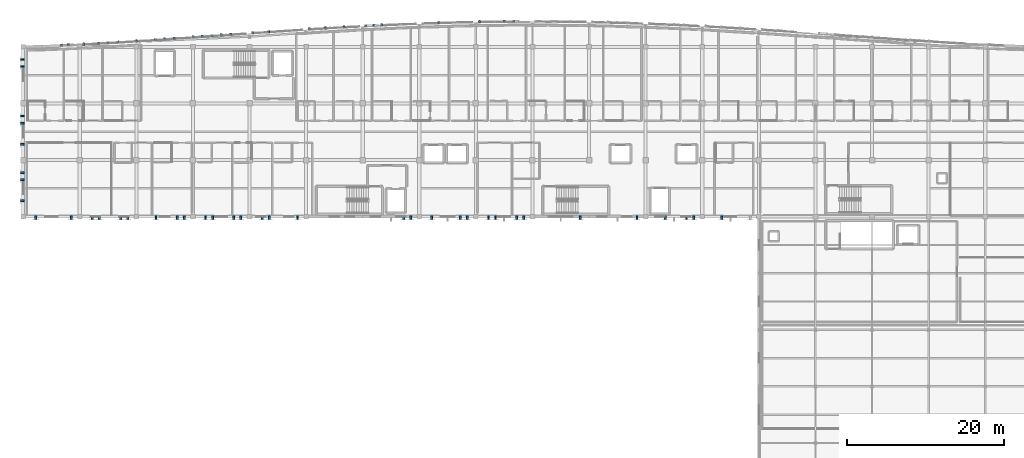
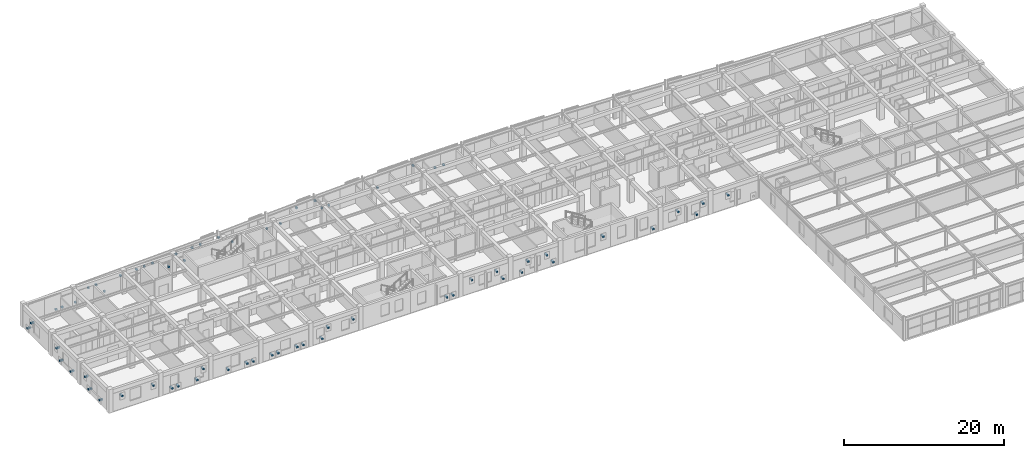
# One storey, part 68 of 73: 66 discrete accessories.
"""IFC4 building model written with IfcOpenShell, lengths in metres."""

from ifc_helpers import new_model, si_unit, direction, frame, origin, origin_2d, place, context, subcontext, project, spatial, rectangle, extrude, material, type_object, element, save


model = new_model("IFC4")

# Units and contexts
model_context = context("Model", 3, precision=1e-05, world=origin(), true_north=direction((0.0, 1.0)))
body_context = subcontext(model_context, "Body", "Model", "MODEL_VIEW")
ifc_project = project(units=[si_unit("LENGTHUNIT", "METRE"), si_unit("AREAUNIT", "SQUARE_METRE"), si_unit("VOLUMEUNIT", "CUBIC_METRE"), si_unit("PLANEANGLEUNIT", "RADIAN"), si_unit("MASSUNIT", "GRAM", prefix="KILO")], contexts=[model_context])

# Site, building, storey
site_placement = place(None, origin())
site = spatial("IfcSite", under=ifc_project, at=site_placement, CompositionType="ELEMENT")
building_placement = place(site_placement, origin())
building = spatial("IfcBuilding", under=site, at=building_placement, Name="Carrowvane Square Congress Hotel", CompositionType="ELEMENT")
storey_placement = place(building_placement, frame((0.0, 0.0, 19.199951171875)))
storey = spatial("IfcBuildingStorey", under=building, at=storey_placement, Name="L04", CompositionType="ELEMENT", Elevation=19.199951171875)

# Discrete accessories
ifc_material = material(Name="Stainless steel 316", Category="steel")
discrete_accessory_type = type_object("IfcDiscreteAccessoryType", Name="ACC-BRK-SS", PredefinedType="BRACKET", material=ifc_material)
for number, where, z_axis, x_axis, name in (
    (1, (33.06005859375, 93.800048828125, 0.56005859375), (0.0, 0.0, 1.0), (0.0, 1.0, 0.0), "V5 pixel screen bracket 289"),
    (2, (33.06005859375, 96.5, 0.56005859375), (0.0, 0.0, 1.0), (0.0, 1.0, 0.0), "V5 pixel screen bracket 290"),
    (3, (33.06005859375, 97.39990234375, 1.9150390625), (0.0, 0.0, 1.0), (0.0, 1.0, 0.0), "V5 pixel screen bracket 291"),
    (4, (33.06005859375, 101.0, 0.56005859375), (0.0, 0.0, 1.0), (0.0, 1.0, 0.0), "V5 pixel screen bracket 292"),
    (5, (33.06005859375, 103.699951171875, 0.56005859375), (0.0, 0.0, 1.0), (0.0, 1.0, 0.0), "V5 pixel screen bracket 293"),
    (6, (33.06005859375, 104.60009765625, 1.9150390625), (0.0, 0.0, 1.0), (0.0, 1.0, 0.0), "V5 pixel screen bracket 294"),
    (7, (33.06005859375, 110.89990234375, 1.9150390625), (0.0, 0.0, 1.0), (0.0, 1.0, 0.0), "V5 pixel screen bracket 295"),
    (8, (33.06005859375, 111.800048828125, 0.56005859375), (0.0, 0.0, 1.0), (0.0, 1.0, 0.0), "V5 pixel screen bracket 296"),
):
    element("IfcDiscreteAccessory", number, at=place(storey_placement, frame(where, z_axis=z_axis, x_axis=x_axis)), inside=storey, type_object=discrete_accessory_type, Name=name, PredefinedType="BRACKET", context=body_context, shape_type="SweptSolid", body=[
        extrude(rectangle(XDim=0.239990234375, YDim=0.52001953125, at=origin_2d()), origin(), (0.0, 0.0, 1.0), 0.239990234375),
    ])
for number, where, z_axis, x_axis, name in (
    (9, (38.03125, 113.62255859375, 0.56005859375), (0.0, 0.0, 1.0), (0.99891730083, 0.046521243556, 0.0), "Pixel screen mullion bracket 297"),
    (10, (38.951904296875, 113.665283203125, 0.56005859375), (0.0, 0.0, 1.0), (0.99891730083, 0.046521243556, 0.0), "Pixel screen mullion bracket 298"),
    (11, (40.888916015625, 113.759033203125, 0.56005859375), (0.0, 0.0, 1.0), (0.998566941363, 0.053516947007, 0.0), "Pixel screen mullion bracket 299"),
    (12, (42.830322265625, 113.86328125, 2.0302734375), (0.0, 0.0, 1.0), (0.998258866948, 0.05898503675, 0.0), "Pixel screen mullion bracket 300"),
    (13, (43.995361328125, 113.93212890625, 2.0302734375), (0.0, 0.0, 1.0), (0.998258866948, 0.05898503675, 0.0), "Pixel screen mullion bracket 301"),
    (14, (45.224853515625, 114.0048828125, 0.56005859375), (0.0, 0.0, 1.0), (0.997996022269, 0.063276690295, 0.0), "Pixel screen mullion bracket 302"),
    (15, (47.629638671875, 114.157470703125, 2.0302734375), (0.0, 0.0, 1.0), (0.997781458784, 0.066574473385, 0.0), "Pixel screen mullion bracket 303"),
    (16, (50.0244140625, 114.3173828125, 2.0302734375), (0.0, 0.0, 1.0), (0.99761759323, 0.068986503591, 0.0), "Pixel screen mullion bracket 304"),
    (17, (51.194580078125, 114.398193359375, 2.0302734375), (0.0, 0.0, 1.0), (0.99761759323, 0.068986503591, 0.0), "Pixel screen mullion bracket 305"),
    (18, (52.42919921875, 114.483642578125, 2.0302734375), (0.0, 0.0, 1.0), (0.997505756275, 0.070585169822, 0.0), "Pixel screen mullion bracket 306"),
    (19, (54.82421875, 114.6533203125, 0.56005859375), (0.0, 0.0, 1.0), (0.997446326449, 0.071420066188, 0.0), "Pixel screen mullion bracket 307"),
    (20, (55.994384765625, 114.737060546875, 2.0302734375), (0.0, 0.0, 1.0), (0.997446326449, 0.071420066188, 0.0), "Pixel screen mullion bracket 308"),
    (21, (57.229248046875, 114.825439453125, 0.56005859375), (0.0, 0.0, 1.0), (0.997438267187, 0.071532532122, 0.0), "Pixel screen mullion bracket 309"),
    (22, (58.394287109375, 114.908935546875, 2.0302734375), (0.0, 0.0, 1.0), (0.997438267187, 0.071532532122, 0.0), "Pixel screen mullion bracket 310"),
    (23, (59.624267578125, 114.9970703125, 2.0302734375), (0.0, 0.0, 1.0), (0.997479379392, 0.070956942496, 0.0), "Pixel screen mullion bracket 311"),
    (24, (62.386474609375, 115.193115234375, 2.0302734375), (0.0, 0.0, 1.0), (0.997566258056, 0.069724893606, 0.0), "Pixel screen mullion bracket 312"),
    (25, (64.424560546875, 115.33544921875, 0.56005859375), (0.0, 0.0, 1.0), (0.9976944394, 0.067866085713, 0.0), "Pixel screen mullion bracket 313"),
    (26, (69.5849609375, 115.678466796875, 0.56005859375), (0.0, 0.0, 1.0), (0.998051413269, 0.062396926785, 0.0), "Pixel screen mullion bracket 314"),
    (27, (71.630126953125, 115.80615234375, 0.56005859375), (0.0, 0.0, 1.0), (0.998266695506, 0.05885239709, 0.0), "Pixel screen mullion bracket 315"),
    (28, (74.025634765625, 115.947265625, 2.0302734375), (0.0, 0.0, 1.0), (0.998496552462, 0.054814548441, 0.0), "Pixel screen mullion bracket 316"),
    (29, (76.79541015625, 116.09765625, 2.0302734375), (0.0, 0.0, 1.0), (0.998733066647, 0.050321581706, 0.0), "Pixel screen mullion bracket 317"),
    (30, (77.7783203125, 116.147216796875, 0.56005859375), (0.0, 0.0, 1.0), (0.998733066647, 0.050321581706, 0.0), "Pixel screen mullion bracket 318"),
    (31, (78.826416015625, 116.19970703125, 0.56005859375), (0.0, 0.0, 1.0), (0.998968255262, 0.045413929349, 0.0), "Pixel screen mullion bracket 319"),
    (32, (86.03271484375, 116.48779296875, 0.56005859375), (0.0, 0.0, 1.0), (0.999589805464, 0.028639497417, 0.0), "Pixel screen mullion bracket 320"),
    (33, (91.211181640625, 116.616455078125, 2.0302734375), (0.0, 0.0, 1.0), (0.999868508772, 0.016216200758, 0.0), "Pixel screen mullion bracket 321"),
    (34, (94.399169921875, 116.660400390625, 0.56005859375), (0.0, 0.0, 1.0), (0.999952150705, 0.009782448565, 0.0), "Pixel screen mullion bracket 322"),
    (35, (95.634765625, 116.67236328125, 0.56005859375), (0.0, 0.0, 1.0), (0.999994654955, 0.003269565853, 0.0), "Pixel screen mullion bracket 323"),
):
    element("IfcDiscreteAccessory", number, at=place(storey_placement, frame(where, z_axis=z_axis, x_axis=x_axis)), inside=storey, type_object=discrete_accessory_type, Name=name, PredefinedType="BRACKET", context=body_context, shape_type="SweptSolid", body=[
        extrude(rectangle(XDim=0.239990234375, YDim=0.280029296875, at=origin_2d()), origin(), (0.0, 0.0, 1.0), 0.239990234375),
    ])
for number, where, z_axis, x_axis, name in (
    (36, (122.10009765625, 91.659912109375, 1.93017578125), (0.0, 0.0, 1.0), (-1.0, 0.0, 0.0), "V5 pixel screen bracket 366"),
    (37, (118.5, 91.659912109375, 1.93017578125), (0.0, 0.0, 1.0), (-1.0, 0.0, 0.0), "V5 pixel screen bracket 367"),
    (38, (117.60009765625, 91.659912109375, 0.56005859375), (0.0, 0.0, 1.0), (-1.0, 0.0, 0.0), "V5 pixel screen bracket 368"),
    (39, (114.89990234375, 91.659912109375, 1.93017578125), (0.0, 0.0, 1.0), (-1.0, 0.0, 0.0), "V5 pixel screen bracket 369"),
    (40, (111.300048828125, 91.659912109375, 0.56005859375), (0.0, 0.0, 1.0), (-1.0, 0.0, 0.0), "V5 pixel screen bracket 370"),
    (41, (104.10009765625, 91.659912109375, 1.93017578125), (0.0, 0.0, 1.0), (-1.0, 0.0, 0.0), "V5 pixel screen bracket 371"),
    (42, (96.89990234375, 91.659912109375, 0.56005859375), (0.0, 0.0, 1.0), (-1.0, 0.0, 0.0), "V5 pixel screen bracket 372"),
    (43, (96.0, 91.659912109375, 1.93017578125), (0.0, 0.0, 1.0), (-1.0, 0.0, 0.0), "V5 pixel screen bracket 373"),
    (44, (93.300048828125, 91.659912109375, 1.93017578125), (0.0, 0.0, 1.0), (-1.0, 0.0, 0.0), "V5 pixel screen bracket 374"),
    (45, (92.39990234375, 91.659912109375, 0.56005859375), (0.0, 0.0, 1.0), (-1.0, 0.0, 0.0), "V5 pixel screen bracket 375"),
    (46, (89.699951171875, 91.659912109375, 0.56005859375), (0.0, 0.0, 1.0), (-1.0, 0.0, 0.0), "V5 pixel screen bracket 376"),
    (47, (88.800048828125, 91.659912109375, 1.93017578125), (0.0, 0.0, 1.0), (-1.0, 0.0, 0.0), "V5 pixel screen bracket 377"),
    (48, (85.199951171875, 91.659912109375, 1.93017578125), (0.0, 0.0, 1.0), (-1.0, 0.0, 0.0), "V5 pixel screen bracket 378"),
    (49, (82.5, 91.659912109375, 0.56005859375), (0.0, 0.0, 1.0), (-1.0, 0.0, 0.0), "V5 pixel screen bracket 379"),
    (50, (81.60009765625, 91.659912109375, 0.56005859375), (0.0, 0.0, 1.0), (-1.0, 0.0, 0.0), "V5 pixel screen bracket 380"),
    (51, (68.10009765625, 91.659912109375, 1.93017578125), (0.0, 0.0, 1.0), (-1.0, 0.0, 0.0), "V5 pixel screen bracket 381"),
    (52, (64.5, 91.659912109375, 1.93017578125), (0.0, 0.0, 1.0), (-1.0, 0.0, 0.0), "V5 pixel screen bracket 382"),
    (53, (63.60009765625, 91.659912109375, 0.56005859375), (0.0, 0.0, 1.0), (-1.0, 0.0, 0.0), "V5 pixel screen bracket 383"),
    (54, (60.89990234375, 91.659912109375, 0.56005859375), (0.0, 0.0, 1.0), (-1.0, 0.0, 0.0), "V5 pixel screen bracket 384"),
    (55, (60.0, 91.659912109375, 0.56005859375), (0.0, 0.0, 1.0), (-1.0, 0.0, 0.0), "V5 pixel screen bracket 385"),
    (56, (57.300048828125, 91.659912109375, 0.56005859375), (0.0, 0.0, 1.0), (-1.0, 0.0, 0.0), "V5 pixel screen bracket 386"),
    (57, (56.39990234375, 91.659912109375, 0.56005859375), (0.0, 0.0, 1.0), (-1.0, 0.0, 0.0), "V5 pixel screen bracket 387"),
    (58, (53.699951171875, 91.659912109375, 0.56005859375), (0.0, 0.0, 1.0), (-1.0, 0.0, 0.0), "V5 pixel screen bracket 388"),
    (59, (52.800048828125, 91.659912109375, 0.56005859375), (0.0, 0.0, 1.0), (-1.0, 0.0, 0.0), "V5 pixel screen bracket 389"),
    (60, (50.10009765625, 91.659912109375, 0.56005859375), (0.0, 0.0, 1.0), (-1.0, 0.0, 0.0), "V5 pixel screen bracket 390"),
    (61, (46.5, 91.659912109375, 1.93017578125), (0.0, 0.0, 1.0), (-1.0, 0.0, 0.0), "V5 pixel screen bracket 391"),
    (62, (45.60009765625, 91.659912109375, 0.56005859375), (0.0, 0.0, 1.0), (-1.0, 0.0, 0.0), "V5 pixel screen bracket 392"),
    (63, (42.89990234375, 91.659912109375, 0.56005859375), (0.0, 0.0, 1.0), (-1.0, 0.0, 0.0), "V5 pixel screen bracket 393"),
    (64, (42.0, 91.659912109375, 0.56005859375), (0.0, 0.0, 1.0), (-1.0, 0.0, 0.0), "V5 pixel screen bracket 394"),
    (65, (39.300048828125, 91.659912109375, 1.93017578125), (0.0, 0.0, 1.0), (-1.0, 0.0, 0.0), "V5 pixel screen bracket 395"),
    (66, (34.800048828125, 91.659912109375, 1.93017578125), (0.0, 0.0, 1.0), (-1.0, 0.0, 0.0), "V5 pixel screen bracket 396"),
):
    element("IfcDiscreteAccessory", number, at=place(storey_placement, frame(where, z_axis=z_axis, x_axis=x_axis)), inside=storey, type_object=discrete_accessory_type, Name=name, PredefinedType="BRACKET", context=body_context, shape_type="SweptSolid", body=[
        extrude(rectangle(XDim=0.239990234375, YDim=0.52001953125, at=origin_2d()), origin(), (0.0, 0.0, 1.0), 0.239990234375),
    ])

save(model, "model.ifc")
